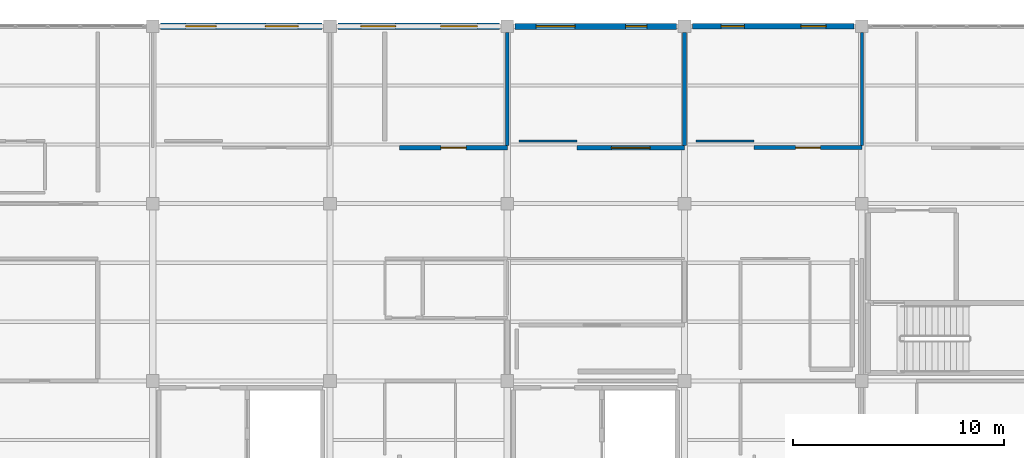
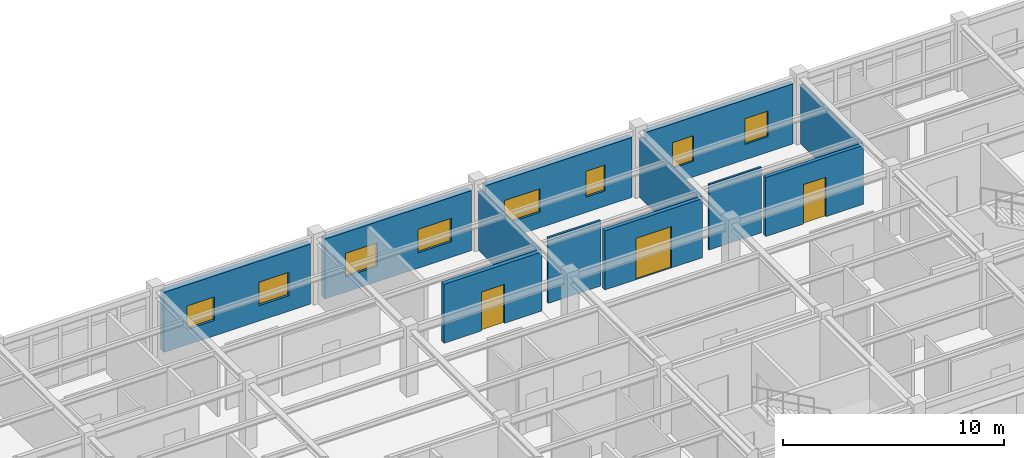
# One storey, part 64 of 86: 12 walls, 8 windows, 3 doors, 11 openings.
"""IFC4 building model written with IfcOpenShell, lengths in metres."""

from ifc_helpers import new_model, si_unit, direction, frame, frame_2d, origin, place, context, subcontext, project, spatial, rectangle, extrude, material, layer, layer_set, type_object, element, fill, save


model = new_model("IFC4")

# Units and contexts
model_context = context("Model", 3, precision=1e-05, world=origin(), true_north=direction((0.0, 1.0)))
body_context = subcontext(model_context, "Body", "Model", "MODEL_VIEW")
ifc_project = project(units=[si_unit("LENGTHUNIT", "METRE"), si_unit("AREAUNIT", "SQUARE_METRE"), si_unit("VOLUMEUNIT", "CUBIC_METRE"), si_unit("PLANEANGLEUNIT", "RADIAN"), si_unit("MASSUNIT", "GRAM", prefix="KILO")], contexts=[model_context])

# Site, building, storey
site_placement = place(None, origin())
site = spatial("IfcSite", under=ifc_project, at=site_placement, CompositionType="ELEMENT")
building_placement = place(site_placement, origin())
building = spatial("IfcBuilding", under=site, at=building_placement, Name="Bramfleet General Hospital", CompositionType="ELEMENT")
storey_placement = place(building_placement, frame((0.0, 0.0, 18.60009765625)))
storey = spatial("IfcBuildingStorey", under=building, at=storey_placement, Name="L04", CompositionType="ELEMENT", Elevation=18.60009765625)

# Wall, openings, windows
ifc_material_1 = material(Name="Precast concrete C40/50", Category="concrete")
ifc_layer_1 = layer(ifc_material_1, 0.31494140625, Name="WT-EW-04")
ifc_layer_set_1 = layer_set([ifc_layer_1], Name="Precast concrete C40/50")
wall_type_1 = type_object("IfcWallType", Name="WT-EW-04", PredefinedType="SOLIDWALL", material=ifc_layer_set_1)
wall_1_placement = place(storey_placement, frame((101.175048828125, 117.60009765625, 0.0), z_axis=(0.0, 0.0, 1.0), x_axis=(1.0, 0.0, 0.0)))
wall_1 = element("IfcWall", 1, at=wall_1_placement, inside=storey, type_object=wall_type_1, Name="L04 Exterior Wall 289", PredefinedType="SOLIDWALL", context=body_context, shape_type="SweptSolid", body=[
    extrude(rectangle(XDim=7.64990234375, YDim=0.31494140625, at=frame_2d((3.824951171875, 0.0))), origin(), (0.0, 0.0, 1.0), 3.309814453125),
])
opening_1_placement = place(wall_1_placement, frame((1.1875, 0.0, 0.85009765625)))
opening_1 = element("IfcOpeningElement", 2, at=opening_1_placement, cuts=wall_1, Name="Opening W-06", PredefinedType="OPENING", context=body_context, shape_type="SweptSolid", body=[
    extrude(rectangle(XDim=1.449951171875, YDim=1.300048828125, at=frame_2d((0.72509765625, 0.64990234375))), frame((0.0, 0.16748046875, 0.0), z_axis=(0.0, -1.0, 0.0), x_axis=(1.0, 0.0, 0.0)), (0.0, 0.0, 1.0), 0.3349609375),
])
opening_2_placement = place(wall_1_placement, frame((4.96240234375, 0.0, 0.85009765625)))
opening_2 = element("IfcOpeningElement", 3, at=opening_2_placement, cuts=wall_1, Name="Opening W-07", PredefinedType="OPENING", context=body_context, shape_type="SweptSolid", body=[
    extrude(rectangle(XDim=1.550048828125, YDim=1.300048828125, at=frame_2d((0.77490234375, 0.64990234375))), frame((0.0, 0.16748046875, 0.0), z_axis=(0.0, -1.0, 0.0), x_axis=(1.0, 0.0, 0.0)), (0.0, 0.0, 1.0), 0.3349609375),
])
ifc_material_2 = material(Name="Anodised aluminium and low-E triple glazing", Category="aluminium")
window_type_1 = type_object("IfcWindowType", Name="WIN-W-06", PartitioningType="SINGLE_PANEL", PredefinedType="WINDOW", material=ifc_material_2)
window_1_placement = place(opening_1_placement, origin())
window_1 = element("IfcWindow", 4, at=window_1_placement, inside=storey, type_object=window_type_1, Name="L04 Facade Window WIN-L04-289-1", OverallHeight=1.300048828125, OverallWidth=1.449951171875, PartitioningType="SINGLE_PANEL", PredefinedType="WINDOW", context=body_context, shape_type="SweptSolid", body=[
    extrude(rectangle(XDim=1.449951171875, YDim=1.300048828125, at=frame_2d((0.72509765625, 0.64990234375))), frame((0.0, 0.030029296875, 0.0), z_axis=(0.0, -1.0, 0.0), x_axis=(1.0, 0.0, 0.0)), (0.0, 0.0, 1.0), 0.06005859375),
])
fill(opening_1, window_1)
window_type_2 = type_object("IfcWindowType", Name="WIN-W-07", PartitioningType="SINGLE_PANEL", PredefinedType="WINDOW", material=ifc_material_2)
window_2_placement = place(opening_2_placement, origin())
window_2 = element("IfcWindow", 5, at=window_2_placement, inside=storey, type_object=window_type_2, Name="L04 Facade Window WIN-L04-289-2", OverallHeight=1.300048828125, OverallWidth=1.550048828125, PartitioningType="SINGLE_PANEL", PredefinedType="WINDOW", context=body_context, shape_type="SweptSolid", body=[
    extrude(rectangle(XDim=1.550048828125, YDim=1.300048828125, at=frame_2d((0.77490234375, 0.64990234375))), frame((0.0, 0.030029296875, 0.0), z_axis=(0.0, -1.0, 0.0), x_axis=(1.0, 0.0, 0.0)), (0.0, 0.0, 1.0), 0.06005859375),
])
fill(opening_2, window_2)

ifc_layer_2 = layer(ifc_material_1, 0.294921875, Name="WT-EW-05")
ifc_layer_set_2 = layer_set([ifc_layer_2], Name="Precast concrete C40/50")
wall_type_2 = type_object("IfcWallType", Name="WT-EW-05", PredefinedType="SOLIDWALL", material=ifc_layer_set_2)
wall_2_placement = place(storey_placement, frame((109.574951171875, 117.60009765625, 0.0), z_axis=(0.0, 0.0, 1.0), x_axis=(1.0, 0.0, 0.0)))
wall_2 = element("IfcWall", 6, at=wall_2_placement, inside=storey, type_object=wall_type_2, Name="L04 Exterior Wall 290", PredefinedType="SOLIDWALL", context=body_context, shape_type="SweptSolid", body=[
    extrude(rectangle(XDim=7.650146484375, YDim=0.294921875, at=frame_2d((3.8251953125, 0.0))), origin(), (0.0, 0.0, 1.0), 3.309814453125),
])
opening_3_placement = place(wall_2_placement, frame((1.08740234375, 0.0, 0.85009765625)))
opening_3 = element("IfcOpeningElement", 7, at=opening_3_placement, cuts=wall_2, Name="Opening W-08", PredefinedType="OPENING", context=body_context, shape_type="SweptSolid", body=[
    extrude(rectangle(XDim=1.64990234375, YDim=1.300048828125, at=frame_2d((0.824951171875, 0.64990234375))), frame((0.0, 0.157470703125, 0.0), z_axis=(0.0, -1.0, 0.0), x_axis=(1.0, 0.0, 0.0)), (0.0, 0.0, 1.0), 0.31494140625),
])
opening_4_placement = place(wall_2_placement, frame((4.862548828125, 0.0, 0.85009765625)))
opening_4 = element("IfcOpeningElement", 8, at=opening_4_placement, cuts=wall_2, Name="Opening W-09", PredefinedType="OPENING", context=body_context, shape_type="SweptSolid", body=[
    extrude(rectangle(XDim=1.75, YDim=1.300048828125, at=frame_2d((0.875, 0.64990234375))), frame((0.0, 0.157470703125, 0.0), z_axis=(0.0, -1.0, 0.0), x_axis=(1.0, 0.0, 0.0)), (0.0, 0.0, 1.0), 0.31494140625),
])
window_type_3 = type_object("IfcWindowType", Name="WIN-W-08", PartitioningType="SINGLE_PANEL", PredefinedType="WINDOW", material=ifc_material_2)
window_3_placement = place(opening_3_placement, origin())
window_3 = element("IfcWindow", 9, at=window_3_placement, inside=storey, type_object=window_type_3, Name="L04 Facade Window WIN-L04-290-1", OverallHeight=1.300048828125, OverallWidth=1.64990234375, PartitioningType="SINGLE_PANEL", PredefinedType="WINDOW", context=body_context, shape_type="SweptSolid", body=[
    extrude(rectangle(XDim=1.64990234375, YDim=1.300048828125, at=frame_2d((0.824951171875, 0.64990234375))), frame((0.0, 0.030029296875, 0.0), z_axis=(0.0, -1.0, 0.0), x_axis=(1.0, 0.0, 0.0)), (0.0, 0.0, 1.0), 0.06005859375),
])
fill(opening_3, window_3)
window_type_4 = type_object("IfcWindowType", Name="WIN-W-09", PartitioningType="SINGLE_PANEL", PredefinedType="WINDOW", material=ifc_material_2)
window_4_placement = place(opening_4_placement, origin())
window_4 = element("IfcWindow", 10, at=window_4_placement, inside=storey, type_object=window_type_4, Name="L04 Facade Window WIN-L04-290-2", OverallHeight=1.300048828125, OverallWidth=1.75, PartitioningType="SINGLE_PANEL", PredefinedType="WINDOW", context=body_context, shape_type="SweptSolid", body=[
    extrude(rectangle(XDim=1.75, YDim=1.300048828125, at=frame_2d((0.875, 0.64990234375))), frame((0.0, 0.030029296875, 0.0), z_axis=(0.0, -1.0, 0.0), x_axis=(1.0, 0.0, 0.0)), (0.0, 0.0, 1.0), 0.06005859375),
])
fill(opening_4, window_4)

ifc_layer_3 = layer(ifc_material_1, 0.280029296875, Name="WT-EW-06")
ifc_layer_set_3 = layer_set([ifc_layer_3], Name="Precast concrete C40/50")
wall_type_3 = type_object("IfcWallType", Name="WT-EW-06", PredefinedType="SOLIDWALL", material=ifc_layer_set_3)
wall_3_placement = place(storey_placement, frame((117.97509765625, 117.60009765625, 0.0), z_axis=(0.0, 0.0, 1.0), x_axis=(1.0, 0.0, 0.0)))
wall_3 = element("IfcWall", 11, at=wall_3_placement, inside=storey, type_object=wall_type_3, Name="L04 Exterior Wall 291", PredefinedType="SOLIDWALL", context=body_context, shape_type="SweptSolid", body=[
    extrude(rectangle(XDim=7.64990234375, YDim=0.280029296875, at=frame_2d((3.824951171875, 0.0))), origin(), (0.0, 0.0, 1.0), 3.309814453125),
])
opening_5_placement = place(wall_3_placement, frame((0.987548828125, 0.0, 0.85009765625)))
opening_5 = element("IfcOpeningElement", 12, at=opening_5_placement, cuts=wall_3, Name="Opening W-10", PredefinedType="OPENING", context=body_context, shape_type="SweptSolid", body=[
    extrude(rectangle(XDim=1.85009765625, YDim=1.300048828125, at=frame_2d((0.925048828125, 0.64990234375))), frame((0.0, 0.14990234375, 0.0), z_axis=(0.0, -1.0, 0.0), x_axis=(1.0, 0.0, 0.0)), (0.0, 0.0, 1.0), 0.300048828125),
])
opening_6_placement = place(wall_3_placement, frame((5.237548828125, 0.0, 0.85009765625)))
opening_6 = element("IfcOpeningElement", 13, at=opening_6_placement, cuts=wall_3, Name="Opening W-11", PredefinedType="OPENING", context=body_context, shape_type="SweptSolid", body=[
    extrude(rectangle(XDim=1.0, YDim=1.419921875, at=frame_2d((0.5, 0.7099609375))), frame((0.0, 0.14990234375, 0.0), z_axis=(0.0, -1.0, 0.0), x_axis=(1.0, 0.0, 0.0)), (0.0, 0.0, 1.0), 0.300048828125),
])
window_type_5 = type_object("IfcWindowType", Name="WIN-W-10", PartitioningType="SINGLE_PANEL", PredefinedType="WINDOW", material=ifc_material_2)
window_5_placement = place(opening_5_placement, origin())
window_5 = element("IfcWindow", 14, at=window_5_placement, inside=storey, type_object=window_type_5, Name="L04 Facade Window WIN-L04-291-1", OverallHeight=1.300048828125, OverallWidth=1.85009765625, PartitioningType="SINGLE_PANEL", PredefinedType="WINDOW", context=body_context, shape_type="SweptSolid", body=[
    extrude(rectangle(XDim=1.85009765625, YDim=1.300048828125, at=frame_2d((0.925048828125, 0.64990234375))), frame((0.0, 0.030029296875, 0.0), z_axis=(0.0, -1.0, 0.0), x_axis=(1.0, 0.0, 0.0)), (0.0, 0.0, 1.0), 0.06005859375),
])
fill(opening_5, window_5)
window_type_6 = type_object("IfcWindowType", Name="WIN-W-11", PartitioningType="SINGLE_PANEL", PredefinedType="WINDOW", material=ifc_material_2)
window_6_placement = place(opening_6_placement, origin())
window_6 = element("IfcWindow", 15, at=window_6_placement, inside=storey, type_object=window_type_6, Name="L04 Facade Window WIN-L04-291-2", OverallHeight=1.419921875, OverallWidth=1.0, PartitioningType="SINGLE_PANEL", PredefinedType="WINDOW", context=body_context, shape_type="SweptSolid", body=[
    extrude(rectangle(XDim=1.0, YDim=1.419921875, at=frame_2d((0.5, 0.7099609375))), frame((0.0, 0.030029296875, 0.0), z_axis=(0.0, -1.0, 0.0), x_axis=(1.0, 0.0, 0.0)), (0.0, 0.0, 1.0), 0.06005859375),
])
fill(opening_6, window_6)

ifc_layer_4 = layer(ifc_material_1, 0.264892578125, Name="WT-EW-07")
ifc_layer_set_4 = layer_set([ifc_layer_4], Name="Precast concrete C40/50")
wall_type_4 = type_object("IfcWallType", Name="WT-EW-07", PredefinedType="SOLIDWALL", material=ifc_layer_set_4)
wall_4_placement = place(storey_placement, frame((126.375, 117.60009765625, 0.0), z_axis=(0.0, 0.0, 1.0), x_axis=(1.0, 0.0, 0.0)))
wall_4 = element("IfcWall", 16, at=wall_4_placement, inside=storey, type_object=wall_type_4, Name="L04 Exterior Wall 292", PredefinedType="SOLIDWALL", context=body_context, shape_type="SweptSolid", body=[
    extrude(rectangle(XDim=7.64990234375, YDim=0.264892578125, at=frame_2d((3.824951171875, 0.0))), origin(), (0.0, 0.0, 1.0), 3.309814453125),
])
opening_7_placement = place(wall_4_placement, frame((1.362548828125, 0.0, 0.85009765625)))
opening_7 = element("IfcOpeningElement", 17, at=opening_7_placement, cuts=wall_4, Name="Opening W-12", PredefinedType="OPENING", context=body_context, shape_type="SweptSolid", body=[
    extrude(rectangle(XDim=1.10009765625, YDim=1.419921875, at=frame_2d((0.550048828125, 0.7099609375))), frame((0.0, 0.142333984375, 0.0), z_axis=(0.0, -1.0, 0.0), x_axis=(1.0, 0.0, 0.0)), (0.0, 0.0, 1.0), 0.284912109375),
])
opening_8_placement = place(wall_4_placement, frame((5.137451171875, 0.0, 0.85009765625)))
opening_8 = element("IfcOpeningElement", 18, at=opening_8_placement, cuts=wall_4, Name="Opening W-13", PredefinedType="OPENING", context=body_context, shape_type="SweptSolid", body=[
    extrude(rectangle(XDim=1.199951171875, YDim=1.419921875, at=frame_2d((0.60009765625, 0.7099609375))), frame((0.0, 0.142333984375, 0.0), z_axis=(0.0, -1.0, 0.0), x_axis=(1.0, 0.0, 0.0)), (0.0, 0.0, 1.0), 0.284912109375),
])
window_type_7 = type_object("IfcWindowType", Name="WIN-W-12", PartitioningType="SINGLE_PANEL", PredefinedType="WINDOW", material=ifc_material_2)
window_7_placement = place(opening_7_placement, origin())
window_7 = element("IfcWindow", 19, at=window_7_placement, inside=storey, type_object=window_type_7, Name="L04 Facade Window WIN-L04-292-1", OverallHeight=1.419921875, OverallWidth=1.10009765625, PartitioningType="SINGLE_PANEL", PredefinedType="WINDOW", context=body_context, shape_type="SweptSolid", body=[
    extrude(rectangle(XDim=1.10009765625, YDim=1.419921875, at=frame_2d((0.550048828125, 0.7099609375))), frame((0.0, 0.030029296875, 0.0), z_axis=(0.0, -1.0, 0.0), x_axis=(1.0, 0.0, 0.0)), (0.0, 0.0, 1.0), 0.06005859375),
])
fill(opening_7, window_7)
window_type_8 = type_object("IfcWindowType", Name="WIN-W-13", PartitioningType="SINGLE_PANEL", PredefinedType="WINDOW", material=ifc_material_2)
window_8_placement = place(opening_8_placement, origin())
window_8 = element("IfcWindow", 20, at=window_8_placement, inside=storey, type_object=window_type_8, Name="L04 Facade Window WIN-L04-292-2", OverallHeight=1.419921875, OverallWidth=1.199951171875, PartitioningType="SINGLE_PANEL", PredefinedType="WINDOW", context=body_context, shape_type="SweptSolid", body=[
    extrude(rectangle(XDim=1.199951171875, YDim=1.419921875, at=frame_2d((0.60009765625, 0.7099609375))), frame((0.0, 0.030029296875, 0.0), z_axis=(0.0, -1.0, 0.0), x_axis=(1.0, 0.0, 0.0)), (0.0, 0.0, 1.0), 0.06005859375),
])
fill(opening_8, window_8)

# Wall, opening, door
ifc_material_3 = material(Name="Concrete C35/45", Category="concrete")
ifc_layer_5 = layer(ifc_material_3, 0.219970703125, Name="WT-IW-01")
ifc_layer_set_5 = layer_set([ifc_layer_5], Name="Concrete C35/45")
wall_type_5 = type_object("IfcWallType", Name="WT-IW-01", PredefinedType="PARTITIONING", material=ifc_layer_set_5)
wall_5_placement = place(storey_placement, frame((112.5, 111.85009765625, 0.0), z_axis=(0.0, 0.0, 1.0), x_axis=(1.0, 0.0, 0.0)))
wall_5 = element("IfcWall", 21, at=wall_5_placement, inside=storey, type_object=wall_type_5, Name="L04 Interior Partition IW-L04-3265", PredefinedType="PARTITIONING", context=body_context, shape_type="SweptSolid", body=[
    extrude(rectangle(XDim=5.10009765625, YDim=0.219970703125, at=frame_2d((2.550048828125, 0.0))), origin(), (0.0, 0.0, 1.0), 3.260009765625),
])
opening_9_placement = place(wall_5_placement, frame((1.949951171875, 0.0, 0.0)))
opening_9 = element("IfcOpeningElement", 22, at=opening_9_placement, cuts=wall_5, Name="Opening D1293", PredefinedType="OPENING", context=body_context, shape_type="SweptSolid", body=[
    extrude(rectangle(XDim=1.199951171875, YDim=2.14990234375, at=frame_2d((0.60009765625, 1.074951171875))), frame((0.0, 0.119873046875, 0.0), z_axis=(0.0, -1.0, 0.0), x_axis=(1.0, 0.0, 0.0)), (0.0, 0.0, 1.0), 0.239990234375),
])
ifc_material_4 = material(Name="Stainless steel and acoustic timber leaf", Category="steel")
door_type_1 = type_object("IfcDoorType", Name="DR-D-13", OperationType="NOTDEFINED", PredefinedType="DOOR", material=ifc_material_4)
door_1_placement = place(opening_9_placement, origin())
door_1 = element("IfcDoor", 23, at=door_1_placement, inside=storey, type_object=door_type_1, Name="Surgical Inpatient Ward Bedroom L04-1313 Door D1293", OperationType="SINGLE_SWING_RIGHT", OverallHeight=2.14990234375, OverallWidth=1.199951171875, PredefinedType="DOOR", context=body_context, shape_type="SweptSolid", body=[
    extrude(rectangle(XDim=1.199951171875, YDim=2.14990234375, at=frame_2d((0.60009765625, 1.074951171875))), frame((0.0, 0.02490234375, 0.0), z_axis=(0.0, -1.0, 0.0), x_axis=(1.0, 0.0, 0.0)), (0.0, 0.0, 1.0), 0.050048828125),
])
fill(opening_9, door_1)

ifc_layer_6 = layer(ifc_material_3, 0.205078125, Name="WT-IW-02")
ifc_layer_set_6 = layer_set([ifc_layer_6], Name="Concrete C35/45")
wall_type_6 = type_object("IfcWallType", Name="WT-IW-02", PredefinedType="PARTITIONING", material=ifc_layer_set_6)
wall_6_placement = place(storey_placement, frame((120.89990234375, 111.85009765625, 0.0), z_axis=(0.0, 0.0, 1.0), x_axis=(1.0, 0.0, 0.0)))
wall_6 = element("IfcWall", 24, at=wall_6_placement, inside=storey, type_object=wall_type_6, Name="L04 Interior Partition IW-L04-3266", PredefinedType="PARTITIONING", context=body_context, shape_type="SweptSolid", body=[
    extrude(rectangle(XDim=5.10009765625, YDim=0.205078125, at=frame_2d((2.550048828125, 0.0))), origin(), (0.0, 0.0, 1.0), 3.260009765625),
])
opening_10_placement = place(wall_6_placement, frame((1.6298828125, 0.0, 0.0)))
opening_10 = element("IfcOpeningElement", 25, at=opening_10_placement, cuts=wall_6, Name="Opening D1300", PredefinedType="OPENING", context=body_context, shape_type="SweptSolid", body=[
    extrude(rectangle(XDim=1.840087890625, YDim=2.280029296875, at=frame_2d((0.919921875, 1.14013671875))), frame((0.0, 0.112548828125, 0.0), z_axis=(0.0, -1.0, 0.0), x_axis=(1.0, 0.0, 0.0)), (0.0, 0.0, 1.0), 0.22509765625),
])
door_type_2 = type_object("IfcDoorType", Name="DR-D-20", OperationType="NOTDEFINED", PredefinedType="DOOR", material=ifc_material_4)
door_2_placement = place(opening_10_placement, origin())
door_2 = element("IfcDoor", 26, at=door_2_placement, inside=storey, type_object=door_type_2, Name="Surgical Inpatient Ward Bedroom L04-1413 Door D1300", OperationType="DOUBLE_SWING_LEFT", OverallHeight=2.280029296875, OverallWidth=1.840087890625, PredefinedType="DOOR", context=body_context, shape_type="SweptSolid", body=[
    extrude(rectangle(XDim=1.840087890625, YDim=2.280029296875, at=frame_2d((0.919921875, 1.14013671875))), frame((0.0, 0.02490234375, 0.0), z_axis=(0.0, -1.0, 0.0), x_axis=(1.0, 0.0, 0.0)), (0.0, 0.0, 1.0), 0.050048828125),
])
fill(opening_10, door_2)

ifc_layer_7 = layer(ifc_material_3, 0.18994140625, Name="WT-IW-03")
ifc_layer_set_7 = layer_set([ifc_layer_7], Name="Concrete C35/45")
wall_type_7 = type_object("IfcWallType", Name="WT-IW-03", PredefinedType="PARTITIONING", material=ifc_layer_set_7)
wall_7_placement = place(storey_placement, frame((129.300048828125, 111.85009765625, 0.0), z_axis=(0.0, 0.0, 1.0), x_axis=(1.0, 0.0, 0.0)))
wall_7 = element("IfcWall", 27, at=wall_7_placement, inside=storey, type_object=wall_type_7, Name="L04 Interior Partition IW-L04-3267", PredefinedType="PARTITIONING", context=body_context, shape_type="SweptSolid", body=[
    extrude(rectangle(XDim=5.099853515625, YDim=0.18994140625, at=frame_2d((2.5498046875, 0.0))), origin(), (0.0, 0.0, 1.0), 3.260009765625),
])
opening_11_placement = place(wall_7_placement, frame((1.9599609375, 0.0, 0.0)))
opening_11 = element("IfcOpeningElement", 28, at=opening_11_placement, cuts=wall_7, Name="Opening D1308", PredefinedType="OPENING", context=body_context, shape_type="SweptSolid", body=[
    extrude(rectangle(XDim=1.179931640625, YDim=2.179931640625, at=frame_2d((0.58984375, 1.08984375))), frame((0.0, 0.10498046875, 0.0), z_axis=(0.0, -1.0, 0.0), x_axis=(1.0, 0.0, 0.0)), (0.0, 0.0, 1.0), 0.2099609375),
])
door_type_3 = type_object("IfcDoorType", Name="DR-D-28", OperationType="NOTDEFINED", PredefinedType="DOOR", material=ifc_material_4)
door_3_placement = place(opening_11_placement, origin())
door_3 = element("IfcDoor", 29, at=door_3_placement, inside=storey, type_object=door_type_3, Name="Surgical Inpatient Ward Bedroom L04-1513 Door D1308", OperationType="SINGLE_SWING_LEFT", OverallHeight=2.179931640625, OverallWidth=1.179931640625, PredefinedType="DOOR", context=body_context, shape_type="SweptSolid", body=[
    extrude(rectangle(XDim=1.179931640625, YDim=2.179931640625, at=frame_2d((0.58984375, 1.08984375))), frame((0.0, 0.02490234375, 0.0), z_axis=(0.0, -1.0, 0.0), x_axis=(1.0, 0.0, 0.0)), (0.0, 0.0, 1.0), 0.050048828125),
])
fill(opening_11, door_3)

# Walls
wall_8_placement = place(storey_placement, frame((126.0, 111.965087890625, 0.0), z_axis=(0.0, 0.0, 1.0), x_axis=(0.0, 1.0, 0.0)))
element("IfcWall", 30, at=wall_8_placement, inside=storey, type_object=wall_type_7, Name="L04 Interior Partition IW-L04-3423", PredefinedType="PARTITIONING", context=body_context, shape_type="SweptSolid", body=[
    extrude(rectangle(XDim=5.33984375, YDim=0.18994140625, at=frame_2d((2.669921875, 0.0))), origin(), (0.0, 0.0, 1.0), 3.260009765625),
])
ifc_material_5 = material(Name="Gypsum plasterboard on acoustic steel studs", Category="steel")
ifc_layer_8 = layer(ifc_material_5, 0.169921875, Name="WT-IW-05")
ifc_layer_set_8 = layer_set([ifc_layer_8], Name="Gypsum plasterboard on acoustic steel studs")
wall_type_8 = type_object("IfcWallType", Name="WT-IW-05", PredefinedType="PARTITIONING", material=ifc_layer_set_8)
wall_9_placement = place(storey_placement, frame((117.60009765625, 111.965087890625, 0.0), z_axis=(0.0, 0.0, 1.0), x_axis=(0.0, 1.0, 0.0)))
element("IfcWall", 31, at=wall_9_placement, inside=storey, type_object=wall_type_8, Name="L04 Interior Partition IW-L04-3413", PredefinedType="PARTITIONING", context=body_context, shape_type="SweptSolid", body=[
    extrude(rectangle(XDim=5.33984375, YDim=0.169921875, at=frame_2d((2.669921875, 0.0))), origin(), (0.0, 0.0, 1.0), 3.260009765625),
])
ifc_layer_9 = layer(ifc_material_5, 0.14990234375, Name="WT-IW-07")
ifc_layer_set_9 = layer_set([ifc_layer_9], Name="Gypsum plasterboard on acoustic steel studs")
wall_type_9 = type_object("IfcWallType", Name="WT-IW-07", PredefinedType="PARTITIONING", material=ifc_layer_set_9)
wall_10_placement = place(storey_placement, frame((134.39990234375, 111.965087890625, 0.0), z_axis=(0.0, 0.0, 1.0), x_axis=(0.0, 1.0, 0.0)))
element("IfcWall", 32, at=wall_10_placement, inside=storey, type_object=wall_type_9, Name="L04 Interior Partition IW-L04-3439", PredefinedType="PARTITIONING", context=body_context, shape_type="SweptSolid", body=[
    extrude(rectangle(XDim=5.33984375, YDim=0.14990234375, at=frame_2d((2.669921875, 0.0))), origin(), (0.0, 0.0, 1.0), 3.260009765625),
])
ifc_layer_10 = layer(ifc_material_5, 0.112060546875, Name="WT-IW-11")
ifc_layer_set_10 = layer_set([ifc_layer_10], Name="Gypsum plasterboard on acoustic steel studs")
wall_type_10 = type_object("IfcWallType", Name="WT-IW-11", PredefinedType="PARTITIONING", material=ifc_layer_set_10)
wall_11_placement = place(storey_placement, frame((118.14990234375, 112.169921875, 0.0), z_axis=(0.0, 0.0, 1.0), x_axis=(1.0, 0.0, 0.0)))
element("IfcWall", 33, at=wall_11_placement, inside=storey, type_object=wall_type_10, Name="L04 Interior Partition IW-L04-3275", PredefinedType="PARTITIONING", context=body_context, shape_type="SweptSolid", body=[
    extrude(rectangle(XDim=2.75, YDim=0.112060546875, at=frame_2d((1.375, 0.0))), origin(), (0.0, 0.0, 1.0), 3.60986328125),
])
ifc_layer_11 = layer(ifc_material_5, 0.10009765625, Name="WT-IW-12")
ifc_layer_set_11 = layer_set([ifc_layer_11], Name="Gypsum plasterboard on acoustic steel studs")
wall_type_11 = type_object("IfcWallType", Name="WT-IW-12", PredefinedType="PARTITIONING", material=ifc_layer_set_11)
wall_12_placement = place(storey_placement, frame((126.550048828125, 112.169921875, 0.0), z_axis=(0.0, 0.0, 1.0), x_axis=(1.0, 0.0, 0.0)))
element("IfcWall", 34, at=wall_12_placement, inside=storey, type_object=wall_type_11, Name="L04 Interior Partition IW-L04-3276", PredefinedType="PARTITIONING", context=body_context, shape_type="SweptSolid", body=[
    extrude(rectangle(XDim=2.75, YDim=0.10009765625, at=frame_2d((1.375, 0.0))), origin(), (0.0, 0.0, 1.0), 3.60986328125),
])

save(model, "model.ifc")
